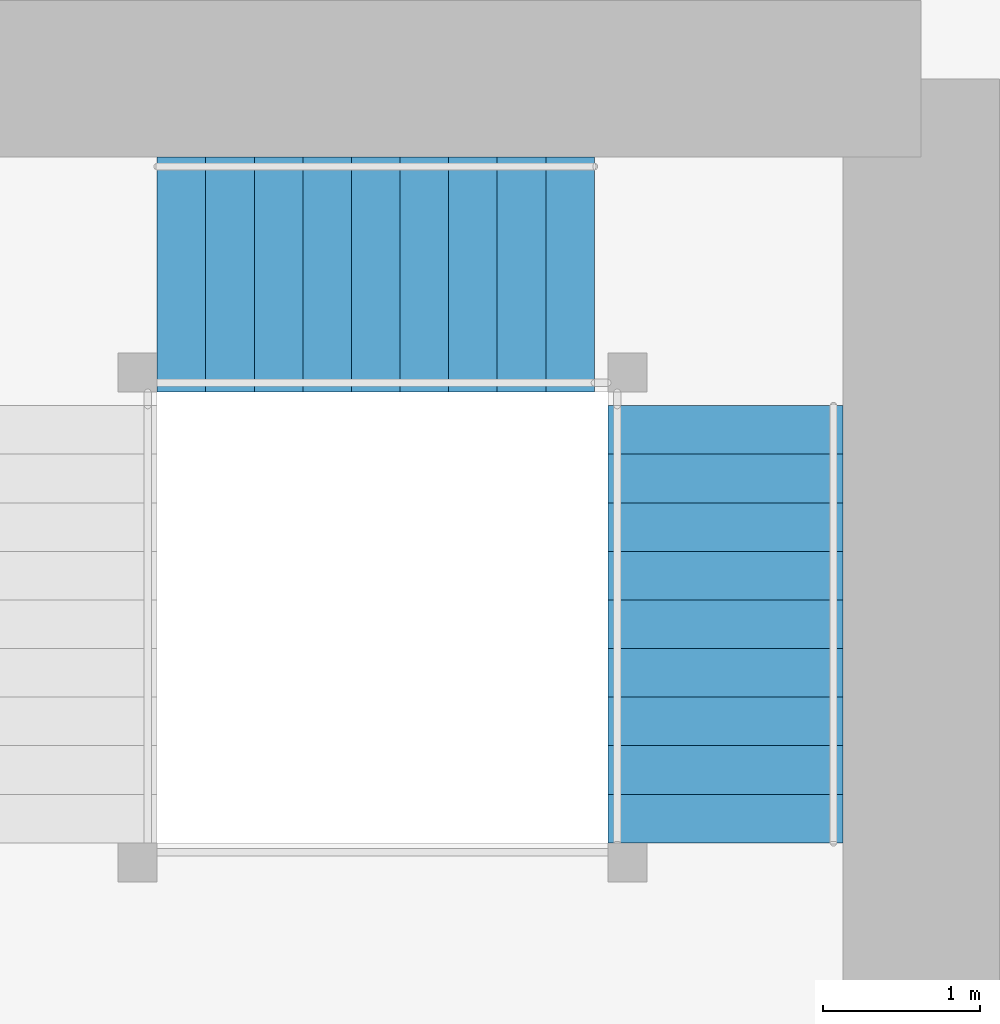
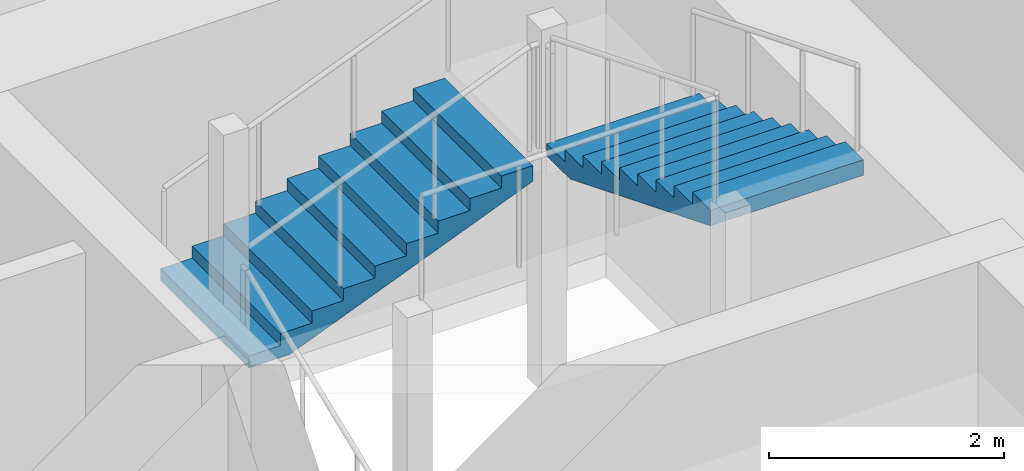
# One storey, part 32 of 40: 2 stair flights, 1 element without a shape of its own.
"""IFC4 building model written with IfcOpenShell, lengths in metres."""

from ifc_helpers import new_model, si_unit, direction, frame, origin, place, context, subcontext, project, spatial, polyline, outline, extrude, material, type_object, element, aggregate, save


model = new_model("IFC4")

# Units and contexts
model_context = context("Model", 3, precision=1e-05, world=origin(), true_north=direction((0.0, 1.0)))
body_context = subcontext(model_context, "Body", "Model", "MODEL_VIEW")
ifc_project = project(units=[si_unit("LENGTHUNIT", "METRE"), si_unit("AREAUNIT", "SQUARE_METRE"), si_unit("VOLUMEUNIT", "CUBIC_METRE"), si_unit("PLANEANGLEUNIT", "RADIAN"), si_unit("MASSUNIT", "GRAM", prefix="KILO")], contexts=[model_context])

# Site, building, storey
site_placement = place(None, origin())
site = spatial("IfcSite", under=ifc_project, at=site_placement, CompositionType="ELEMENT")
building_placement = place(site_placement, origin())
building = spatial("IfcBuilding", under=site, at=building_placement, Name="Rekha Terrace Tower", CompositionType="ELEMENT")
storey_placement = place(building_placement, frame((0.0, 0.0, 129.050048828125)))
storey = spatial("IfcBuildingStorey", under=building, at=storey_placement, Name="L32", CompositionType="ELEMENT", Elevation=129.050048828125)

# Stair, stair flights
ifc_material = material(Name="Concrete M40", Category="concrete")
stair_type = type_object("IfcStairType", Name="ST30 stair, 30 risers of 125, going 310, 1500 wide flights, 3 flights", PredefinedType="HALF_TURN_STAIR", material=ifc_material)
stair_placement = place(storey_placement, origin())
stair = element("IfcStair", 1, at=stair_placement, inside=storey, type_object=stair_type, Name="Stair ST2 L32 to L33", PredefinedType="HALF_TURN_STAIR")
stair_flight_type = type_object("IfcStairFlightType", Name="SF10 stair flight, 10 risers of 125, going 310, 1500 wide", PredefinedType="STRAIGHT", material=ifc_material)
stair_flight_1_placement = place(storey_placement, frame((45.52490234375, 44.949951171875, 1.25), z_axis=(0.0, 0.0, 1.0), x_axis=(1.0, 0.0, 0.0)))
stair_flight_1 = element("IfcStairFlight", 2, at=stair_flight_1_placement, type_object=stair_flight_type, Name="ST2 flight 2", NumberOfRisers=10, NumberOfTreads=9, PredefinedType="STRAIGHT", RiserHeight=0.125, TreadLength=0.31, context=body_context, shape_type="SweptSolid", body=[
    extrude(outline(polyline([(0.0, 0.0), (0.0, 0.125), (0.31005859375, 0.125), (0.31005859375, 0.25), (0.6201171875, 0.25), (0.6201171875, 0.375), (0.929931640625, 0.375), (0.929931640625, 0.5), (1.239990234375, 0.5), (1.239990234375, 0.625), (1.550048828125, 0.625), (1.550048828125, 0.75), (1.860107421875, 0.75), (1.860107421875, 0.875), (2.169921875, 0.875), (2.169921875, 1.0), (2.47998046875, 1.0), (2.47998046875, 1.125), (2.7900390625, 1.125), (2.7900390625, 1.25), (2.7900390625, 0.96337890625), (0.40087890625, 0.0), (0.0, 0.0)])), frame((0.0, 0.75, 0.0), z_axis=(0.0, -1.0, 0.0), x_axis=(1.0, 0.0, 0.0)), (0.0, 0.0, 1.0), 1.5),
])
stair_flight_2_placement = place(storey_placement, frame((49.14990234375, 44.114990234375, 2.5), z_axis=(0.0, 0.0, 1.0), x_axis=(0.0, -1.0, 0.0)))
stair_flight_2 = element("IfcStairFlight", 3, at=stair_flight_2_placement, type_object=stair_flight_type, Name="ST2 flight 3", NumberOfRisers=10, NumberOfTreads=9, PredefinedType="STRAIGHT", RiserHeight=0.125, TreadLength=0.31, context=body_context, shape_type="SweptSolid", body=[
    extrude(outline(polyline([(0.0, 0.0), (0.0, 0.125), (0.31005859375, 0.125), (0.31005859375, 0.25), (0.6201171875, 0.25), (0.6201171875, 0.375), (0.929931640625, 0.375), (0.929931640625, 0.5), (1.239990234375, 0.5), (1.239990234375, 0.625), (1.550048828125, 0.625), (1.550048828125, 0.75), (1.860107421875, 0.75), (1.860107421875, 0.875), (2.169921875, 0.875), (2.169921875, 1.0), (2.47998046875, 1.0), (2.47998046875, 1.125), (2.7900390625, 1.125), (2.7900390625, 1.25), (2.7900390625, 0.96337890625), (0.40087890625, 0.0), (0.0, 0.0)])), frame((0.0, 0.75, 0.0), z_axis=(0.0, -1.0, 0.0), x_axis=(1.0, 0.0, 0.0)), (0.0, 0.0, 1.0), 1.5),
])
aggregate(stair, [stair_flight_1, stair_flight_2])

save(model, "model.ifc")
